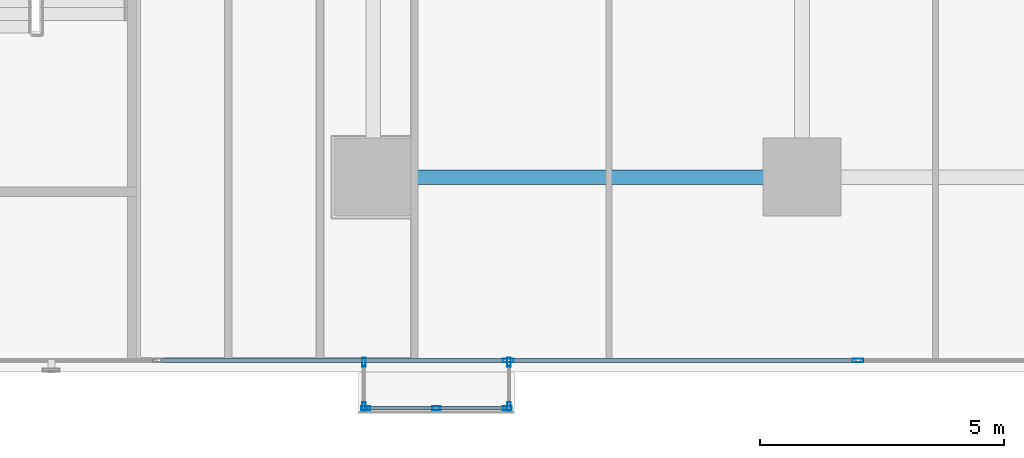
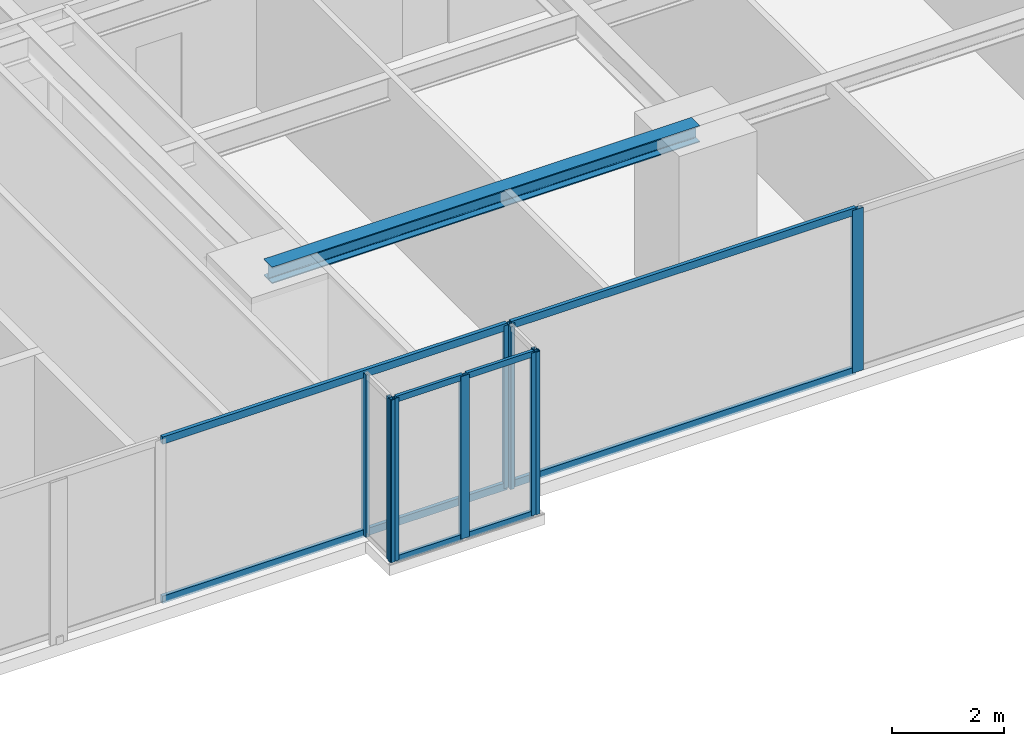
# One storey, part 9 of 28: 17 members, 1 beam, 4 elements without a shape of their own.
"""IFC4 building model written with IfcOpenShell, lengths in metres."""

from ifc_helpers import new_model, si_unit, direction, frame, origin, origin_with_axes, origin_2d, place, context, subcontext, project, spatial, hollow_rectangle, i_section, extrude, source, transform, mapped, material, layer, layer_set, material_profile, profile_set, type_object, element, aggregate, save


model = new_model("IFC4")

# Units and contexts
model_context = context("Model", 3, precision=1e-05, world=origin(), true_north=direction((0.0, 1.0)))
body_context = subcontext(model_context, "Body", "Model", "MODEL_VIEW")
ifc_project = project(units=[si_unit("LENGTHUNIT", "METRE"), si_unit("AREAUNIT", "SQUARE_METRE"), si_unit("VOLUMEUNIT", "CUBIC_METRE"), si_unit("PLANEANGLEUNIT", "RADIAN"), si_unit("MASSUNIT", "GRAM", prefix="KILO")], contexts=[model_context])

# Site, building, storey
site_placement = place(None, origin())
site = spatial("IfcSite", under=ifc_project, at=site_placement, CompositionType="ELEMENT")
building_placement = place(site_placement, origin())
building = spatial("IfcBuilding", under=site, at=building_placement, Name="Kolvaren Waterfront Exchange", CompositionType="ELEMENT")
storey_placement = place(building_placement, frame((0.0, 0.0, 56.199951171875)))
storey = spatial("IfcBuildingStorey", under=building, at=storey_placement, Name="L14", CompositionType="ELEMENT", Elevation=56.199951171875)

# Beam
ifc_material_1 = material(Name="Steel S355", Category="steel")
ifc_material_profile_1 = material_profile(ifc_material_1, i_section(OverallWidth=0.300048828125, OverallDepth=0.360107421875, WebThickness=0.012451171875, FlangeThickness=0.0224609375, FilletRadius=0.027099609375, at=origin_2d()), Name="HEB360")
ifc_profile_set_1 = profile_set([ifc_material_profile_1], Name="Steel S355")
beam_type = type_object("IfcBeamType", Name="STR-BM-HEB360", PredefinedType="SPANDREL", material=ifc_profile_set_1)
beam_placement = place(storey_placement, frame((36.800048828125, 5.199951171875, 3.360107421875), z_axis=(1.0, 0.0, 0.0), x_axis=(0.0, 1.0, 0.0)))
element("IfcBeam", 1, at=beam_placement, inside=storey, type_object=beam_type, Name="L14 east-arm spandrel S3", PredefinedType="SPANDREL", context=body_context, shape_type="SweptSolid", body=[
    extrude(i_section(OverallWidth=0.300048828125, OverallDepth=0.360107421875, WebThickness=0.012451171875, FlangeThickness=0.0224609375, FilletRadius=0.027099609375, at=origin_2d()), origin(), (0.0, 0.0, 1.0), 8.800048828125),
])

# Curtain wall, members
ifc_material_2 = material(Name="Anodised bronze aluminium 6063-T6", Category="aluminium")
ifc_layer_1 = layer(ifc_material_2, 0.219970703125, Name="Anodised bronze aluminium 6063-T6")
ifc_layer_set_1 = layer_set([ifc_layer_1], Name="Anodised bronze aluminium 6063-T6")
curtain_wall_type_1 = type_object("IfcCurtainWallType", Name="ARC-CW-SYS1", PredefinedType="USERDEFINED", material=ifc_layer_set_1)
curtain_wall_1_placement = place(storey_placement, origin())
curtain_wall_1 = element("IfcCurtainWall", 2, at=curtain_wall_1_placement, inside=storey, type_object=curtain_wall_type_1, Name="L14 stick curtain wall CW1 (CW-L14-S)", ObjectType="STICK CURTAIN WALL", PredefinedType="USERDEFINED")
ifc_material_3 = material(Name="Anodised aluminium 6063-T6", Category="aluminium")
ifc_material_profile_2 = material_profile(ifc_material_3, hollow_rectangle(XDim=0.074951171875, YDim=0.159912109375, WallThickness=0.00439453125, at=origin_2d()), Name="ALU-TRN-160x75x4.5")
ifc_profile_set_2 = profile_set([ifc_material_profile_2], Name="Anodised aluminium 6063-T6")
member_type_1 = type_object("IfcMemberType", Name="ARC-CWT-160", PredefinedType="USERDEFINED", material=ifc_profile_set_2)
shared_shape_1 = source(origin_with_axes(), body_context, "Body", "SweptSolid", [
    extrude(hollow_rectangle(XDim=0.074951171875, YDim=0.159912109375, WallThickness=0.00439453125, at=origin_2d()), origin(), (0.0, 0.0, 1.0), 7.094970703125),
])
member_1_placement = place(storey_placement, frame((32.43994140625, 1.43994140625, 0.03759765625), z_axis=(1.0, 0.0, 0.0), x_axis=(0.0, 1.0, 0.0)))
member_1 = element("IfcMember", 3, at=member_1_placement, type_object=member_type_1, Name="CW1 transom 5.1", ObjectType="TRANSOM", PredefinedType="USERDEFINED", context=body_context, shape_type="MappedRepresentation", body=[
    mapped(shared_shape_1, transform((0.0, 0.0, 0.0), x_axis=(1.0, 0.0, 0.0), y_axis=(0.0, 1.0, 0.0), z_axis=(0.0, 0.0, 1.0), scale=1.0)),
])
member_2_placement = place(storey_placement, frame((32.43994140625, 1.43994140625, 3.50244140625), z_axis=(1.0, 0.0, 0.0), x_axis=(0.0, 1.0, 0.0)))
member_2 = element("IfcMember", 4, at=member_2_placement, type_object=member_type_1, Name="CW1 transom 5.2", ObjectType="TRANSOM", PredefinedType="USERDEFINED", context=body_context, shape_type="MappedRepresentation", body=[
    mapped(shared_shape_1, transform((0.0, 0.0, 0.0), x_axis=(1.0, 0.0, 0.0), y_axis=(0.0, 1.0, 0.0), z_axis=(0.0, 0.0, 1.0), scale=1.0)),
])
member_3_placement = place(storey_placement, frame((39.614990234375, 1.43994140625, 0.03759765625), z_axis=(1.0, 0.0, 0.0), x_axis=(0.0, 1.0, 0.0)))
member_3 = element("IfcMember", 5, at=member_3_placement, type_object=member_type_1, Name="CW1 transom 6.1", ObjectType="TRANSOM", PredefinedType="USERDEFINED", context=body_context, shape_type="MappedRepresentation", body=[
    mapped(shared_shape_1, transform((0.0, 0.0, 0.0), x_axis=(1.0, 0.0, 0.0), y_axis=(0.0, 1.0, 0.0), z_axis=(0.0, 0.0, 1.0), scale=1.0)),
])
member_4_placement = place(storey_placement, frame((39.614990234375, 1.43994140625, 3.50244140625), z_axis=(1.0, 0.0, 0.0), x_axis=(0.0, 1.0, 0.0)))
member_4 = element("IfcMember", 6, at=member_4_placement, type_object=member_type_1, Name="CW1 transom 6.2", ObjectType="TRANSOM", PredefinedType="USERDEFINED", context=body_context, shape_type="MappedRepresentation", body=[
    mapped(shared_shape_1, transform((0.0, 0.0, 0.0), x_axis=(1.0, 0.0, 0.0), y_axis=(0.0, 1.0, 0.0), z_axis=(0.0, 0.0, 1.0), scale=1.0)),
])

ifc_layer_2 = layer(ifc_material_2, 0.219970703125, Name="Anodised bronze aluminium 6063-T6")
ifc_layer_set_2 = layer_set([ifc_layer_2], Name="Anodised bronze aluminium 6063-T6")
curtain_wall_type_2 = type_object("IfcCurtainWallType", Name="ARC-CW-SYS3", PredefinedType="USERDEFINED", material=ifc_layer_set_2)
curtain_wall_2_placement = place(storey_placement, origin())
curtain_wall_2 = element("IfcCurtainWall", 7, at=curtain_wall_2_placement, inside=storey, type_object=curtain_wall_type_2, Name="L14 stick curtain wall CW3 (CW-L14-BOX-W)", ObjectType="STICK CURTAIN WALL", PredefinedType="USERDEFINED")
ifc_material_profile_3 = material_profile(ifc_material_2, hollow_rectangle(XDim=0.074951171875, YDim=0.179931640625, WallThickness=0.00439453125, at=origin_2d()), Name="ALU-MUL-180x75x4.5")
ifc_profile_set_3 = profile_set([ifc_material_profile_3], Name="Anodised bronze aluminium 6063-T6")
member_type_2 = type_object("IfcMemberType", Name="ARC-CWM-180", PredefinedType="MULLION", material=ifc_profile_set_3)
shared_shape_2 = source(origin_with_axes(), body_context, "Body", "SweptSolid", [
    extrude(hollow_rectangle(XDim=0.074951171875, YDim=0.179931640625, WallThickness=0.00439453125, at=origin_2d()), origin(), (0.0, 0.0, 1.0), 3.5400390625),
])
member_5_placement = place(storey_placement, frame((36.610107421875, 1.402587890625, 0.0), z_axis=(0.0, 0.0, 1.0), x_axis=(1.0, 0.0, 0.0)))
member_5 = element("IfcMember", 8, at=member_5_placement, type_object=member_type_2, Name="CW3 mullion 1", PredefinedType="MULLION", context=body_context, shape_type="MappedRepresentation", body=[
    mapped(shared_shape_2, transform((0.0, 0.0, 0.0), x_axis=(1.0, 0.0, 0.0), y_axis=(0.0, 1.0, 0.0), z_axis=(0.0, 0.0, 1.0), scale=1.0)),
])
member_6_placement = place(storey_placement, frame((36.610107421875, 0.49755859375, 0.0), z_axis=(0.0, 0.0, 1.0), x_axis=(1.0, 0.0, 0.0)))
member_6 = element("IfcMember", 9, at=member_6_placement, type_object=member_type_2, Name="CW3 mullion 2", PredefinedType="MULLION", context=body_context, shape_type="MappedRepresentation", body=[
    mapped(shared_shape_2, transform((0.0, 0.0, 0.0), x_axis=(1.0, 0.0, 0.0), y_axis=(0.0, 1.0, 0.0), z_axis=(0.0, 0.0, 1.0), scale=1.0)),
])
aggregate(curtain_wall_2, [member_5, member_6])

curtain_wall_3_placement = place(storey_placement, origin())
curtain_wall_3 = element("IfcCurtainWall", 10, at=curtain_wall_3_placement, inside=storey, type_object=curtain_wall_type_2, Name="L14 stick curtain wall CW3 (CW-L14-BOX)", ObjectType="STICK CURTAIN WALL", PredefinedType="USERDEFINED")
member_7_placement = place(storey_placement, frame((36.6474609375, 0.4599609375, 0.0), z_axis=(0.0, 0.0, 1.0), x_axis=(0.0, 1.0, 0.0)))
member_7 = element("IfcMember", 11, at=member_7_placement, type_object=member_type_2, Name="CW3 mullion 1", PredefinedType="MULLION", context=body_context, shape_type="MappedRepresentation", body=[
    mapped(shared_shape_2, transform((0.0, 0.0, 0.0), x_axis=(1.0, 0.0, 0.0), y_axis=(0.0, 1.0, 0.0), z_axis=(0.0, 0.0, 1.0), scale=1.0)),
])
member_8_placement = place(storey_placement, frame((38.10009765625, 0.4599609375, 0.0), z_axis=(0.0, 0.0, 1.0), x_axis=(0.0, 1.0, 0.0)))
member_8 = element("IfcMember", 12, at=member_8_placement, type_object=member_type_2, Name="CW3 mullion 2", PredefinedType="MULLION", context=body_context, shape_type="MappedRepresentation", body=[
    mapped(shared_shape_2, transform((0.0, 0.0, 0.0), x_axis=(1.0, 0.0, 0.0), y_axis=(0.0, 1.0, 0.0), z_axis=(0.0, 0.0, 1.0), scale=1.0)),
])
member_9_placement = place(storey_placement, frame((39.552490234375, 0.4599609375, 0.0), z_axis=(0.0, 0.0, 1.0), x_axis=(0.0, 1.0, 0.0)))
member_9 = element("IfcMember", 13, at=member_9_placement, type_object=member_type_2, Name="CW3 mullion 3", PredefinedType="MULLION", context=body_context, shape_type="MappedRepresentation", body=[
    mapped(shared_shape_2, transform((0.0, 0.0, 0.0), x_axis=(1.0, 0.0, 0.0), y_axis=(0.0, 1.0, 0.0), z_axis=(0.0, 0.0, 1.0), scale=1.0)),
])

curtain_wall_4_placement = place(storey_placement, origin())
curtain_wall_4 = element("IfcCurtainWall", 14, at=curtain_wall_4_placement, inside=storey, type_object=curtain_wall_type_2, Name="L14 stick curtain wall CW3 (CW-L14-BOX-E)", ObjectType="STICK CURTAIN WALL", PredefinedType="USERDEFINED")
member_10_placement = place(storey_placement, frame((39.590087890625, 0.49755859375, 0.0), z_axis=(0.0, 0.0, 1.0), x_axis=(-1.0, 0.0, 0.0)))
member_10 = element("IfcMember", 15, at=member_10_placement, type_object=member_type_2, Name="CW3 mullion 1", PredefinedType="MULLION", context=body_context, shape_type="MappedRepresentation", body=[
    mapped(shared_shape_2, transform((0.0, 0.0, 0.0), x_axis=(1.0, 0.0, 0.0), y_axis=(0.0, 1.0, 0.0), z_axis=(0.0, 0.0, 1.0), scale=1.0)),
])
member_11_placement = place(storey_placement, frame((39.590087890625, 1.402587890625, 0.0), z_axis=(0.0, 0.0, 1.0), x_axis=(-1.0, 0.0, 0.0)))
member_11 = element("IfcMember", 16, at=member_11_placement, type_object=member_type_2, Name="CW3 mullion 2", PredefinedType="MULLION", context=body_context, shape_type="MappedRepresentation", body=[
    mapped(shared_shape_2, transform((0.0, 0.0, 0.0), x_axis=(1.0, 0.0, 0.0), y_axis=(0.0, 1.0, 0.0), z_axis=(0.0, 0.0, 1.0), scale=1.0)),
])
aggregate(curtain_wall_4, [member_10, member_11])

# Member
ifc_material_profile_4 = material_profile(ifc_material_2, hollow_rectangle(XDim=0.06494140625, YDim=0.1298828125, WallThickness=0.00390625, at=origin_2d()), Name="ALU-TRN-130x65x4")
ifc_profile_set_4 = profile_set([ifc_material_profile_4], Name="Anodised bronze aluminium 6063-T6")
member_type_3 = type_object("IfcMemberType", Name="ARC-CWT-130", PredefinedType="USERDEFINED", material=ifc_profile_set_4)
shared_shape_3 = source(origin_with_axes(), body_context, "Body", "SweptSolid", [
    extrude(hollow_rectangle(XDim=0.06494140625, YDim=0.1298828125, WallThickness=0.00390625, at=origin_2d()), origin(), (0.0, 0.0, 1.0), 1.37744140625),
])
member_12_placement = place(storey_placement, frame((36.68505859375, 0.4599609375, 0.032470703125), z_axis=(1.0, 0.0, 0.0), x_axis=(0.0, 1.0, 0.0)))
member_12 = element("IfcMember", 17, at=member_12_placement, type_object=member_type_3, Name="CW3 transom 1.1", ObjectType="TRANSOM", PredefinedType="USERDEFINED", context=body_context, shape_type="MappedRepresentation", body=[
    mapped(shared_shape_3, transform((0.0, 0.0, 0.0), x_axis=(1.0, 0.0, 0.0), y_axis=(0.0, 1.0, 0.0), z_axis=(0.0, 0.0, 1.0), scale=1.0)),
])

member_13_placement = place(storey_placement, frame((36.68505859375, 0.4599609375, 3.507568359375), z_axis=(1.0, 0.0, 0.0), x_axis=(0.0, 1.0, 0.0)))
member_13 = element("IfcMember", 18, at=member_13_placement, type_object=member_type_3, Name="CW3 transom 1.2", ObjectType="TRANSOM", PredefinedType="USERDEFINED", context=body_context, shape_type="MappedRepresentation", body=[
    mapped(shared_shape_3, transform((0.0, 0.0, 0.0), x_axis=(1.0, 0.0, 0.0), y_axis=(0.0, 1.0, 0.0), z_axis=(0.0, 0.0, 1.0), scale=1.0)),
])

member_14_placement = place(storey_placement, frame((38.137451171875, 0.4599609375, 0.032470703125), z_axis=(1.0, 0.0, 0.0), x_axis=(0.0, 1.0, 0.0)))
member_14 = element("IfcMember", 19, at=member_14_placement, type_object=member_type_3, Name="CW3 transom 2.1", ObjectType="TRANSOM", PredefinedType="USERDEFINED", context=body_context, shape_type="MappedRepresentation", body=[
    mapped(shared_shape_3, transform((0.0, 0.0, 0.0), x_axis=(1.0, 0.0, 0.0), y_axis=(0.0, 1.0, 0.0), z_axis=(0.0, 0.0, 1.0), scale=1.0)),
])

member_15_placement = place(storey_placement, frame((38.137451171875, 0.4599609375, 3.507568359375), z_axis=(1.0, 0.0, 0.0), x_axis=(0.0, 1.0, 0.0)))
member_15 = element("IfcMember", 20, at=member_15_placement, type_object=member_type_3, Name="CW3 transom 2.2", ObjectType="TRANSOM", PredefinedType="USERDEFINED", context=body_context, shape_type="MappedRepresentation", body=[
    mapped(shared_shape_3, transform((0.0, 0.0, 0.0), x_axis=(1.0, 0.0, 0.0), y_axis=(0.0, 1.0, 0.0), z_axis=(0.0, 0.0, 1.0), scale=1.0)),
])

aggregate(curtain_wall_3, [member_7, member_8, member_9, member_12, member_13, member_14, member_15])

ifc_material_profile_5 = material_profile(ifc_material_3, hollow_rectangle(XDim=0.080078125, YDim=0.219970703125, WallThickness=0.0048828125, at=origin_2d()), Name="ALU-MUL-220x80x5")
ifc_profile_set_5 = profile_set([ifc_material_profile_5], Name="Anodised aluminium 6063-T6")
member_type_4 = type_object("IfcMemberType", Name="ARC-CWM-220", PredefinedType="MULLION", material=ifc_profile_set_5)
shared_shape_4 = source(origin_with_axes(), body_context, "Body", "SweptSolid", [
    extrude(hollow_rectangle(XDim=0.080078125, YDim=0.219970703125, WallThickness=0.0048828125, at=origin_2d()), origin(), (0.0, 0.0, 1.0), 3.5400390625),
])
member_16_placement = place(storey_placement, frame((39.574951171875, 1.43994140625, 0.0), z_axis=(0.0, 0.0, 1.0), x_axis=(0.0, 1.0, 0.0)))
member_16 = element("IfcMember", 21, at=member_16_placement, type_object=member_type_4, Name="CW1 mullion 6", PredefinedType="MULLION", context=body_context, shape_type="MappedRepresentation", body=[
    mapped(shared_shape_4, transform((0.0, 0.0, 0.0), x_axis=(1.0, 0.0, 0.0), y_axis=(0.0, 1.0, 0.0), z_axis=(0.0, 0.0, 1.0), scale=1.0)),
])

member_17_placement = place(storey_placement, frame((46.75, 1.43994140625, 0.0), z_axis=(0.0, 0.0, 1.0), x_axis=(0.0, 1.0, 0.0)))
member_17 = element("IfcMember", 22, at=member_17_placement, type_object=member_type_4, Name="CW1 mullion 7", PredefinedType="MULLION", context=body_context, shape_type="MappedRepresentation", body=[
    mapped(shared_shape_4, transform((0.0, 0.0, 0.0), x_axis=(1.0, 0.0, 0.0), y_axis=(0.0, 1.0, 0.0), z_axis=(0.0, 0.0, 1.0), scale=1.0)),
])

aggregate(curtain_wall_1, [member_16, member_17, member_1, member_2, member_3, member_4])

save(model, "model.ifc")
